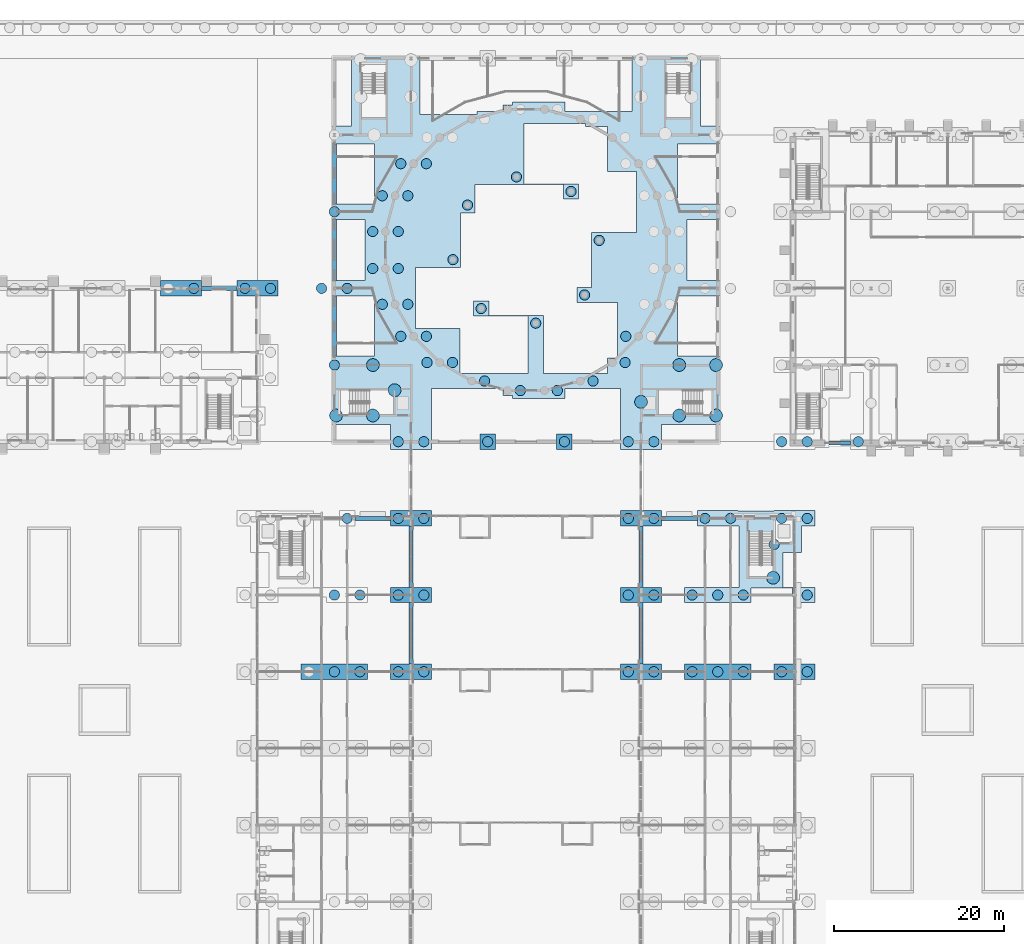
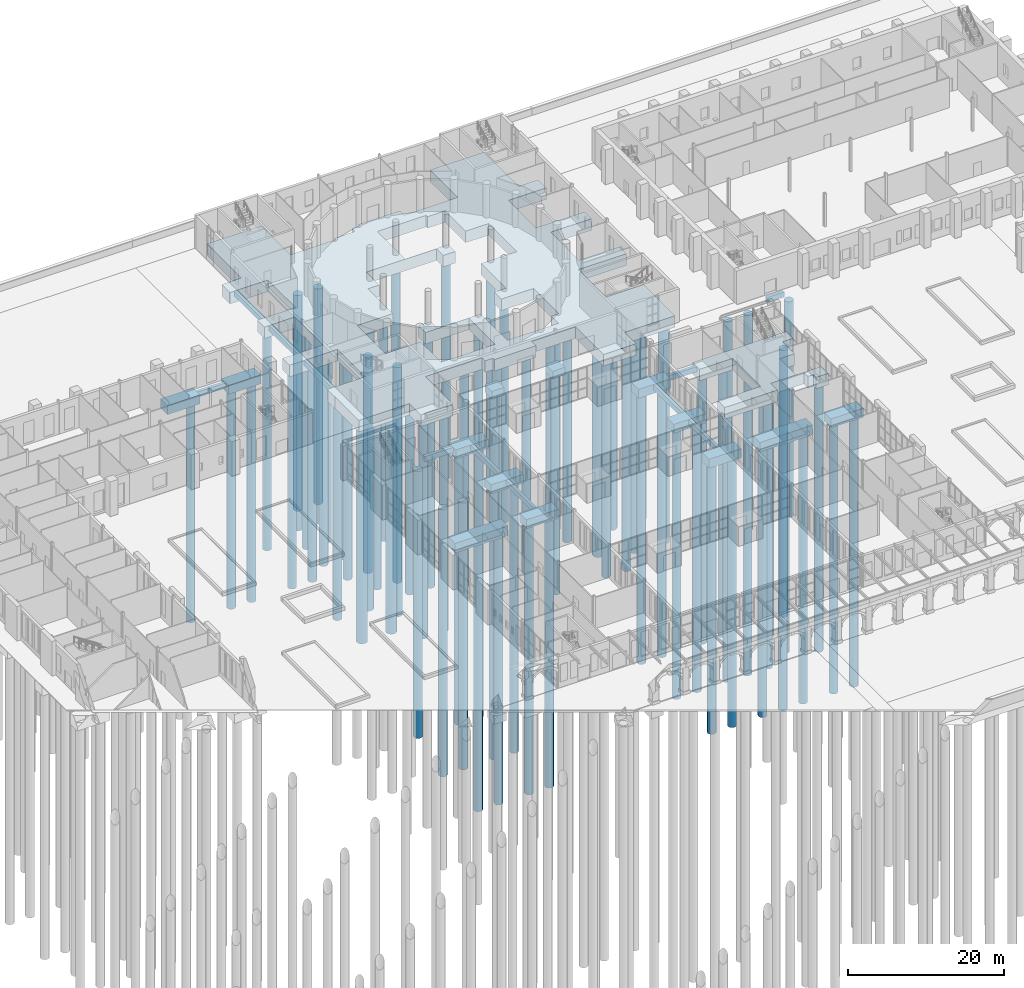
# One storey, part 5 of 168: 85 piles, 26 footings.
"""IFC4 building model written with IfcOpenShell, lengths in metres."""

from ifc_helpers import new_model, si_unit, direction, frame, origin, origin_2d, place, context, subcontext, project, spatial, polyline, circle, outline, extrude, material, material_profile, profile_set, type_object, element, save


model = new_model("IFC4")

# Units and contexts
model_context = context("Model", 3, precision=1e-05, world=origin(), true_north=direction((0.0, 1.0)))
body_context = subcontext(model_context, "Body", "Model", "MODEL_VIEW")
ifc_project = project(units=[si_unit("LENGTHUNIT", "METRE"), si_unit("AREAUNIT", "SQUARE_METRE"), si_unit("VOLUMEUNIT", "CUBIC_METRE"), si_unit("PLANEANGLEUNIT", "RADIAN"), si_unit("MASSUNIT", "GRAM", prefix="KILO")], contexts=[model_context])

# Site, building, storey
site_placement = place(None, origin())
site = spatial("IfcSite", under=ifc_project, at=site_placement, CompositionType="ELEMENT")
building_placement = place(site_placement, origin())
building = spatial("IfcBuilding", under=site, at=building_placement, Name="Golden Quay Civic Hall", CompositionType="ELEMENT")
storey_placement = place(building_placement, origin())
storey = spatial("IfcBuildingStorey", under=building, at=storey_placement, Name="L00", CompositionType="ELEMENT", Elevation=0.0)

# Piles
ifc_material_1 = material(Name="Concrete C40/50", Category="concrete")
ifc_material_profile_1 = material_profile(ifc_material_1, circle(Radius=0.60009765625, at=origin_2d()), Name="RC D1200")
ifc_profile_set_1 = profile_set([ifc_material_profile_1], Name="Concrete C40/50")
pile_type_1 = type_object("IfcPileType", Name="Bored pile 1200", PredefinedType="BORED", material=ifc_profile_set_1)
pile_1_placement = place(storey_placement, frame((46.5, 81.0, -1.89990234375), z_axis=(0.0, 0.0, -1.0), x_axis=(1.0, 0.0, 0.0)))
element("IfcPile", 1, at=pile_1_placement, inside=storey, type_object=pile_type_1, Name="PL1 bored pile", PredefinedType="BORED", context=body_context, shape_type="SweptSolid", body=[
    extrude(circle(Radius=0.60009765625, at=origin_2d()), origin(), (0.0, 0.0, 1.0), 34.10009765625),
])
for number, where, z_axis, x_axis, name in (
    (2, (63.0, 45.0, -2.300048828125), (0.0, 0.0, -1.0), (1.0, 0.0, 0.0), "PL1 bored pile"),
    (3, (64.5, 54.0, -2.300048828125), (0.0, 0.0, -1.0), (1.0, 0.0, 0.0), "PL1 bored pile"),
    (4, (66.0, 45.0, -2.300048828125), (0.0, 0.0, -1.0), (1.0, 0.0, 0.0), "PL1 bored pile"),
):
    element("IfcPile", number, at=place(storey_placement, frame(where, z_axis=z_axis, x_axis=x_axis)), inside=storey, type_object=pile_type_1, Name=name, PredefinedType="BORED", context=body_context, shape_type="SweptSolid", body=[
        extrude(circle(Radius=0.60009765625, at=origin_2d()), origin(), (0.0, 0.0, 1.0), 41.699951171875),
    ])
for number, where, z_axis, x_axis, name in (
    (5, (52.5, 81.0, -1.89990234375), (0.0, 0.0, -1.0), (1.0, 0.0, 0.0), "PL1 bored pile"),
    (6, (55.5, 81.0, -1.89990234375), (0.0, 0.0, -1.0), (1.0, 0.0, 0.0), "PL1 bored pile"),
):
    element("IfcPile", number, at=place(storey_placement, frame(where, z_axis=z_axis, x_axis=x_axis)), inside=storey, type_object=pile_type_1, Name=name, PredefinedType="BORED", context=body_context, shape_type="SweptSolid", body=[
        extrude(circle(Radius=0.60009765625, at=origin_2d()), origin(), (0.0, 0.0, 1.0), 34.10009765625),
    ])
for number, where, z_axis, x_axis, name in (
    (7, (63.0, 36.0, -2.0), (0.0, 0.0, -1.0), (1.0, 0.0, 0.0), "PL1 bored pile"),
    (8, (66.0, 36.0, -2.0), (0.0, 0.0, -1.0), (1.0, 0.0, 0.0), "PL1 bored pile"),
):
    element("IfcPile", number, at=place(storey_placement, frame(where, z_axis=z_axis, x_axis=x_axis)), inside=storey, type_object=pile_type_1, Name=name, PredefinedType="BORED", context=body_context, shape_type="SweptSolid", body=[
        extrude(circle(Radius=0.60009765625, at=origin_2d()), origin(), (0.0, 0.0, 1.0), 42.0),
    ])
for number, where, z_axis, x_axis, name in (
    (9, (61.5, 81.0, -2.300048828125), (0.0, 0.0, -1.0), (1.0, 0.0, 0.0), "PL1 bored pile"),
    (10, (63.0, 72.0, -2.300048828125), (0.0, 0.0, -1.0), (1.0, 0.0, 0.0), "PL1 bored pile"),
    (11, (63.0, 90.0, -2.300048828125), (0.0, 0.0, -1.0), (1.0, 0.0, 0.0), "PL1 bored pile"),
    (12, (64.5, 81.0, -2.300048828125), (0.0, 0.0, -1.0), (1.0, 0.0, 0.0), "PL1 bored pile"),
    (13, (67.5, 83.327880859375, -2.300048828125), (0.0, 0.0, -1.0), (1.0, 0.0, 0.0), "PL1 bored pile"),
    (14, (67.5, 87.672119140625, -2.300048828125), (0.0, 0.0, -1.0), (1.0, 0.0, 0.0), "PL1 bored pile"),
    (15, (68.6240234375, 79.131103515625, -2.300048828125), (0.0, 0.0, -1.0), (1.0, 0.0, 0.0), "PL1 bored pile"),
    (16, (68.6240234375, 91.868896484375, -2.300048828125), (0.0, 0.0, -1.0), (1.0, 0.0, 0.0), "PL1 bored pile"),
    (17, (70.5, 63.0, -2.300048828125), (0.0, 0.0, -1.0), (1.0, 0.0, 0.0), "PL1 bored pile"),
    (18, (70.5, 83.327880859375, -2.300048828125), (0.0, 0.0, -1.0), (1.0, 0.0, 0.0), "PL1 bored pile"),
    (19, (70.5, 87.672119140625, -2.300048828125), (0.0, 0.0, -1.0), (1.0, 0.0, 0.0), "PL1 bored pile"),
    (20, (70.797119140625, 75.368896484375, -2.300048828125), (0.0, 0.0, -1.0), (1.0, 0.0, 0.0), "PL1 bored pile"),
    (21, (70.797119140625, 95.631103515625, -2.300048828125), (0.0, 0.0, -1.0), (1.0, 0.0, 0.0), "PL1 bored pile"),
    (22, (71.6240234375, 79.131103515625, -2.300048828125), (0.0, 0.0, -1.0), (1.0, 0.0, 0.0), "PL1 bored pile"),
    (23, (71.6240234375, 91.868896484375, -2.300048828125), (0.0, 0.0, -1.0), (1.0, 0.0, 0.0), "PL1 bored pile"),
    (24, (73.5, 63.0, -2.300048828125), (0.0, 0.0, -1.0), (1.0, 0.0, 0.0), "PL1 bored pile"),
    (25, (73.797119140625, 75.368896484375, -2.300048828125), (0.0, 0.0, -1.0), (1.0, 0.0, 0.0), "PL1 bored pile"),
    (26, (73.797119140625, 95.631103515625, -2.300048828125), (0.0, 0.0, -1.0), (1.0, 0.0, 0.0), "PL1 bored pile"),
    (27, (73.868896484375, 72.297119140625, -2.300048828125), (0.0, 0.0, -1.0), (1.0, 0.0, 0.0), "PL1 bored pile"),
    (28, (76.868896484375, 72.297119140625, -2.300048828125), (0.0, 0.0, -1.0), (1.0, 0.0, 0.0), "PL1 bored pile"),
    (29, (76.9150390625, 84.3701171875, -2.300048828125), (0.0, 0.0, -1.0), (1.0, 0.0, 0.0), "PL1 bored pile"),
    (30, (78.6298828125, 90.77099609375, -2.300048828125), (0.0, 0.0, -1.0), (1.0, 0.0, 0.0), "PL1 bored pile"),
    (31, (80.22900390625, 78.6298828125, -2.300048828125), (0.0, 0.0, -1.0), (1.0, 0.0, 0.0), "PL1 bored pile"),
    (32, (80.631103515625, 70.1240234375, -2.300048828125), (0.0, 0.0, -1.0), (1.0, 0.0, 0.0), "PL1 bored pile"),
    (33, (84.3701171875, 94.0849609375, -2.300048828125), (0.0, 0.0, -1.0), (1.0, 0.0, 0.0), "PL1 bored pile"),
    (34, (84.827880859375, 69.0, -2.300048828125), (0.0, 0.0, -1.0), (1.0, 0.0, 0.0), "PL1 bored pile"),
    (35, (86.6298828125, 76.9150390625, -2.300048828125), (0.0, 0.0, -1.0), (1.0, 0.0, 0.0), "PL1 bored pile"),
    (36, (89.172119140625, 69.0, -2.300048828125), (0.0, 0.0, -1.0), (1.0, 0.0, 0.0), "PL1 bored pile"),
    (37, (90.77099609375, 92.3701171875, -2.300048828125), (0.0, 0.0, -1.0), (1.0, 0.0, 0.0), "PL1 bored pile"),
    (38, (92.3701171875, 80.22900390625, -2.300048828125), (0.0, 0.0, -1.0), (1.0, 0.0, 0.0), "PL1 bored pile"),
    (39, (93.368896484375, 70.1240234375, -2.300048828125), (0.0, 0.0, -1.0), (1.0, 0.0, 0.0), "PL1 bored pile"),
    (40, (94.0849609375, 86.6298828125, -2.300048828125), (0.0, 0.0, -1.0), (1.0, 0.0, 0.0), "PL1 bored pile"),
    (41, (97.131103515625, 72.297119140625, -2.300048828125), (0.0, 0.0, -1.0), (1.0, 0.0, 0.0), "PL1 bored pile"),
    (42, (97.202880859375, 75.368896484375, -2.300048828125), (0.0, 0.0, -1.0), (1.0, 0.0, 0.0), "PL1 bored pile"),
    (43, (97.5, 63.0, -2.300048828125), (0.0, 0.0, -1.0), (1.0, 0.0, 0.0), "PL1 bored pile"),
    (44, (100.5, 63.0, -2.300048828125), (0.0, 0.0, -1.0), (1.0, 0.0, 0.0), "PL1 bored pile"),
):
    element("IfcPile", number, at=place(storey_placement, frame(where, z_axis=z_axis, x_axis=x_axis)), inside=storey, type_object=pile_type_1, Name=name, PredefinedType="BORED", context=body_context, shape_type="SweptSolid", body=[
        extrude(circle(Radius=0.60009765625, at=origin_2d()), origin(), (0.0, 0.0, 1.0), 33.699951171875),
    ])
for number, where, z_axis, x_axis, name in (
    (45, (70.5, 36.0, -1.89990234375), (0.0, 0.0, -1.0), (1.0, 0.0, 0.0), "PL1 bored pile"),
    (46, (73.5, 36.0, -1.89990234375), (0.0, 0.0, -1.0), (1.0, 0.0, 0.0), "PL1 bored pile"),
    (47, (70.5, 45.0, -1.89990234375), (0.0, 0.0, -1.0), (1.0, 0.0, 0.0), "PL1 bored pile"),
    (48, (73.5, 45.0, -1.89990234375), (0.0, 0.0, -1.0), (1.0, 0.0, 0.0), "PL1 bored pile"),
    (49, (70.5, 54.0, -1.89990234375), (0.0, 0.0, -1.0), (1.0, 0.0, 0.0), "PL1 bored pile"),
    (50, (73.5, 54.0, -1.89990234375), (0.0, 0.0, -1.0), (1.0, 0.0, 0.0), "PL1 bored pile"),
):
    element("IfcPile", number, at=place(storey_placement, frame(where, z_axis=z_axis, x_axis=x_axis)), inside=storey, type_object=pile_type_1, Name=name, PredefinedType="BORED", context=body_context, shape_type="SweptSolid", body=[
        extrude(circle(Radius=0.60009765625, at=origin_2d()), origin(), (0.0, 0.0, 1.0), 42.10009765625),
    ])
for number, where, z_axis, x_axis, name in (
    (51, (81.0, 63.0, -1.699951171875), (0.0, 0.0, -1.0), (1.0, 0.0, 0.0), "PL1 bored pile"),
    (52, (90.0, 63.0, -1.699951171875), (0.0, 0.0, -1.0), (1.0, 0.0, 0.0), "PL1 bored pile"),
):
    element("IfcPile", number, at=place(storey_placement, frame(where, z_axis=z_axis, x_axis=x_axis)), inside=storey, type_object=pile_type_1, Name=name, PredefinedType="BORED", context=body_context, shape_type="SweptSolid", body=[
        extrude(circle(Radius=0.60009765625, at=origin_2d()), origin(), (0.0, 0.0, 1.0), 34.300048828125),
    ])
for number, where, z_axis, x_axis, name in (
    (53, (97.5, 36.0, -1.89990234375), (0.0, 0.0, -1.0), (1.0, 0.0, 0.0), "PL1 bored pile"),
    (54, (100.5, 36.0, -1.89990234375), (0.0, 0.0, -1.0), (1.0, 0.0, 0.0), "PL1 bored pile"),
    (55, (97.5, 45.0, -1.89990234375), (0.0, 0.0, -1.0), (1.0, 0.0, 0.0), "PL1 bored pile"),
    (56, (100.5, 45.0, -1.89990234375), (0.0, 0.0, -1.0), (1.0, 0.0, 0.0), "PL1 bored pile"),
    (57, (97.5, 54.0, -1.89990234375), (0.0, 0.0, -1.0), (1.0, 0.0, 0.0), "PL1 bored pile"),
    (58, (100.5, 54.0, -1.89990234375), (0.0, 0.0, -1.0), (1.0, 0.0, 0.0), "PL1 bored pile"),
):
    element("IfcPile", number, at=place(storey_placement, frame(where, z_axis=z_axis, x_axis=x_axis)), inside=storey, type_object=pile_type_1, Name=name, PredefinedType="BORED", context=body_context, shape_type="SweptSolid", body=[
        extrude(circle(Radius=0.60009765625, at=origin_2d()), origin(), (0.0, 0.0, 1.0), 42.10009765625),
    ])
for number, where, z_axis, x_axis, name in (
    (59, (105.0, 36.0, -2.0), (0.0, 0.0, -1.0), (1.0, 0.0, 0.0), "PL1 bored pile"),
    (60, (108.0, 36.0, -2.0), (0.0, 0.0, -1.0), (1.0, 0.0, 0.0), "PL1 bored pile"),
    (61, (111.0, 36.0, -2.0), (0.0, 0.0, -1.0), (1.0, 0.0, 0.0), "PL1 bored pile"),
):
    element("IfcPile", number, at=place(storey_placement, frame(where, z_axis=z_axis, x_axis=x_axis)), inside=storey, type_object=pile_type_1, Name=name, PredefinedType="BORED", context=body_context, shape_type="SweptSolid", body=[
        extrude(circle(Radius=0.60009765625, at=origin_2d()), origin(), (0.0, 0.0, 1.0), 42.0),
    ])
for number, where, z_axis, x_axis, name in (
    (62, (105.0, 45.0, -2.300048828125), (0.0, 0.0, -1.0), (1.0, 0.0, 0.0), "PL1 bored pile"),
    (63, (106.5, 54.0, -2.300048828125), (0.0, 0.0, -1.0), (1.0, 0.0, 0.0), "PL1 bored pile"),
    (64, (108.0, 45.0, -2.300048828125), (0.0, 0.0, -1.0), (1.0, 0.0, 0.0), "PL1 bored pile"),
    (65, (109.5, 54.0, -2.300048828125), (0.0, 0.0, -1.0), (1.0, 0.0, 0.0), "PL1 bored pile"),
    (66, (111.0, 45.0, -2.300048828125), (0.0, 0.0, -1.0), (1.0, 0.0, 0.0), "PL1 bored pile"),
    (67, (114.625, 50.949951171875, -2.300048828125), (0.0, 0.0, -1.0), (1.0, 0.0, 0.0), "PL1 bored pile"),
    (68, (115.5, 54.0, -2.300048828125), (0.0, 0.0, -1.0), (1.0, 0.0, 0.0), "PL1 bored pile"),
    (69, (118.5, 45.0, -2.300048828125), (0.0, 0.0, -1.0), (1.0, 0.0, 0.0), "PL1 bored pile"),
    (70, (118.5, 54.0, -2.300048828125), (0.0, 0.0, -1.0), (1.0, 0.0, 0.0), "PL1 bored pile"),
):
    element("IfcPile", number, at=place(storey_placement, frame(where, z_axis=z_axis, x_axis=x_axis)), inside=storey, type_object=pile_type_1, Name=name, PredefinedType="BORED", context=body_context, shape_type="SweptSolid", body=[
        extrude(circle(Radius=0.60009765625, at=origin_2d()), origin(), (0.0, 0.0, 1.0), 41.699951171875),
    ])
for number, where, z_axis, x_axis, name in (
    (71, (115.5, 36.0, -1.89990234375), (0.0, 0.0, -1.0), (1.0, 0.0, 0.0), "PL1 bored pile"),
    (72, (118.5, 36.0, -1.89990234375), (0.0, 0.0, -1.0), (1.0, 0.0, 0.0), "PL1 bored pile"),
):
    element("IfcPile", number, at=place(storey_placement, frame(where, z_axis=z_axis, x_axis=x_axis)), inside=storey, type_object=pile_type_1, Name=name, PredefinedType="BORED", context=body_context, shape_type="SweptSolid", body=[
        extrude(circle(Radius=0.60009765625, at=origin_2d()), origin(), (0.0, 0.0, 1.0), 42.10009765625),
    ])
for number, where, z_axis, x_axis, name in (
    (73, (115.5, 63.0, -2.300048828125), (0.0, 0.0, -1.0), (1.0, 0.0, 0.0), "PL1 bored pile"),
    (74, (118.5, 63.0, -2.300048828125), (0.0, 0.0, -1.0), (1.0, 0.0, 0.0), "PL1 bored pile"),
    (75, (124.5, 63.0, -2.300048828125), (0.0, 0.0, -1.0), (1.0, 0.0, 0.0), "PL1 bored pile"),
):
    element("IfcPile", number, at=place(storey_placement, frame(where, z_axis=z_axis, x_axis=x_axis)), inside=storey, type_object=pile_type_1, Name=name, PredefinedType="BORED", context=body_context, shape_type="SweptSolid", body=[
        extrude(circle(Radius=0.60009765625, at=origin_2d()), origin(), (0.0, 0.0, 1.0), 33.699951171875),
    ])
ifc_material_2 = material(Name="Concrete C40/50", Category="concrete")
ifc_material_profile_2 = material_profile(ifc_material_2, circle(Radius=0.75, at=origin_2d()), Name="RC D1500")
ifc_profile_set_2 = profile_set([ifc_material_profile_2], Name="Concrete C40/50")
pile_type_2 = type_object("IfcPileType", Name="Bored pile 1500", PredefinedType="BORED", material=ifc_profile_set_2)
for number, where, z_axis, x_axis, name in (
    (76, (63.199951171875, 66.074951171875, -2.300048828125), (0.0, 0.0, -1.0), (1.0, 0.0, 0.0), "PL2 bored pile"),
    (77, (67.52490234375, 66.074951171875, -2.300048828125), (0.0, 0.0, -1.0), (1.0, 0.0, 0.0), "PL2 bored pile"),
    (78, (67.52490234375, 72.0, -2.300048828125), (0.0, 0.0, -1.0), (1.0, 0.0, 0.0), "PL2 bored pile"),
    (79, (70.074951171875, 69.050048828125, -2.300048828125), (0.0, 0.0, -1.0), (1.0, 0.0, 0.0), "PL2 bored pile"),
    (80, (99.0, 67.675048828125, -2.300048828125), (0.0, 0.0, -1.0), (1.0, 0.0, 0.0), "PL2 bored pile"),
    (81, (103.47509765625, 66.074951171875, -2.300048828125), (0.0, 0.0, -1.0), (1.0, 0.0, 0.0), "PL2 bored pile"),
    (82, (103.47509765625, 72.0, -2.300048828125), (0.0, 0.0, -1.0), (1.0, 0.0, 0.0), "PL2 bored pile"),
    (83, (107.800048828125, 66.074951171875, -2.300048828125), (0.0, 0.0, -1.0), (1.0, 0.0, 0.0), "PL2 bored pile"),
    (84, (107.800048828125, 72.0, -2.300048828125), (0.0, 0.0, -1.0), (1.0, 0.0, 0.0), "PL2 bored pile"),
):
    element("IfcPile", number, at=place(storey_placement, frame(where, z_axis=z_axis, x_axis=x_axis)), inside=storey, type_object=pile_type_2, Name=name, PredefinedType="BORED", context=body_context, shape_type="SweptSolid", body=[
        extrude(circle(Radius=0.75, at=origin_2d()), origin(), (0.0, 0.0, 1.0), 33.699951171875),
    ])
pile_2_placement = place(storey_placement, frame((114.5, 47.02490234375, -2.300048828125), z_axis=(0.0, 0.0, -1.0), x_axis=(1.0, 0.0, 0.0)))
element("IfcPile", 85, at=pile_2_placement, inside=storey, type_object=pile_type_2, Name="PL2 bored pile", PredefinedType="BORED", context=body_context, shape_type="SweptSolid", body=[
    extrude(circle(Radius=0.75, at=origin_2d()), origin(), (0.0, 0.0, 1.0), 41.699951171875),
])

# Footings
ifc_material_3 = material(Name="Concrete C40/50", Category="concrete")
footing_type_1 = type_object("IfcFootingType", Name="Ground beam 450 x 800", PredefinedType="FOOTING_BEAM", material=ifc_material_3)
footing_1_placement = place(storey_placement, frame((0.0, 0.0, -1.39990234375)))
element("IfcFooting", 86, at=footing_1_placement, inside=storey, type_object=footing_type_1, Name="F15 ground beam", PredefinedType="FOOTING_BEAM", context=body_context, shape_type="SweptSolid", body=[
    extrude(outline(polyline([(62.77490234375, 80.10009765625), (63.22509765625, 80.10009765625), (63.22509765625, 73.050048828125), (62.77490234375, 73.050048828125), (62.77490234375, 80.10009765625)])), origin(), (0.0, 0.0, 1.0), 0.7998046875),
])
footing_2_placement = place(storey_placement, frame((0.0, 0.0, -1.39990234375)))
element("IfcFooting", 87, at=footing_2_placement, inside=storey, type_object=footing_type_1, Name="F15 ground beam", PredefinedType="FOOTING_BEAM", context=body_context, shape_type="SweptSolid", body=[
    extrude(outline(polyline([(62.77490234375, 89.10009765625), (63.22509765625, 89.10009765625), (63.22509765625, 81.89990234375), (62.77490234375, 81.89990234375), (62.77490234375, 89.10009765625)])), origin(), (0.0, 0.0, 1.0), 0.7998046875),
])
footing_3_placement = place(storey_placement, frame((0.0, 0.0, -1.39990234375)))
element("IfcFooting", 88, at=footing_3_placement, inside=storey, type_object=footing_type_1, Name="F15 ground beam", PredefinedType="FOOTING_BEAM", context=body_context, shape_type="SweptSolid", body=[
    extrude(outline(polyline([(62.77490234375, 97.949951171875), (63.22509765625, 97.949951171875), (63.22509765625, 90.89990234375), (62.77490234375, 90.89990234375), (62.77490234375, 97.949951171875)])), origin(), (0.0, 0.0, 1.0), 0.7998046875),
])
footing_4_placement = place(storey_placement, frame((0.0, 0.0, -1.39990234375)))
element("IfcFooting", 89, at=footing_4_placement, inside=storey, type_object=footing_type_1, Name="F15 ground beam", PredefinedType="FOOTING_BEAM", context=body_context, shape_type="SweptSolid", body=[
    extrude(outline(polyline([(105.60009765625, 54.22509765625), (105.60009765625, 53.77490234375), (101.39990234375, 53.77490234375), (101.39990234375, 54.22509765625), (105.60009765625, 54.22509765625)])), origin(), (0.0, 0.0, 1.0), 0.7998046875),
])
footing_5_placement = place(storey_placement, frame((0.0, 0.0, -1.39990234375)))
element("IfcFooting", 90, at=footing_5_placement, inside=storey, type_object=footing_type_1, Name="F15 ground beam", PredefinedType="FOOTING_BEAM", context=body_context, shape_type="SweptSolid", body=[
    extrude(outline(polyline([(98.77490234375, 44.10009765625), (99.22509765625, 44.10009765625), (99.22509765625, 36.89990234375), (98.77490234375, 36.89990234375), (98.77490234375, 44.10009765625)])), origin(), (0.0, 0.0, 1.0), 0.7998046875),
])
footing_6_placement = place(storey_placement, frame((0.0, 0.0, -1.39990234375)))
element("IfcFooting", 91, at=footing_6_placement, inside=storey, type_object=footing_type_1, Name="F15 ground beam", PredefinedType="FOOTING_BEAM", context=body_context, shape_type="SweptSolid", body=[
    extrude(outline(polyline([(98.77490234375, 53.10009765625), (99.22509765625, 53.10009765625), (99.22509765625, 45.89990234375), (98.77490234375, 45.89990234375), (98.77490234375, 53.10009765625)])), origin(), (0.0, 0.0, 1.0), 0.7998046875),
])
footing_7_placement = place(storey_placement, frame((0.0, 0.0, -1.39990234375)))
element("IfcFooting", 92, at=footing_7_placement, inside=storey, type_object=footing_type_1, Name="F15 ground beam", PredefinedType="FOOTING_BEAM", context=body_context, shape_type="SweptSolid", body=[
    extrude(outline(polyline([(123.60009765625, 63.074951171875), (123.60009765625, 62.625), (121.074951171875, 62.625), (121.074951171875, 63.074951171875), (123.60009765625, 63.074951171875)])), origin(), (0.0, 0.0, 1.0), 0.7998046875),
])
footing_8_placement = place(storey_placement, frame((0.0, 0.0, -1.39990234375)))
element("IfcFooting", 93, at=footing_8_placement, inside=storey, type_object=footing_type_1, Name="F15 ground beam", PredefinedType="FOOTING_BEAM", context=body_context, shape_type="SweptSolid", body=[
    extrude(outline(polyline([(51.60009765625, 81.22509765625), (51.60009765625, 80.77490234375), (47.39990234375, 80.77490234375), (47.39990234375, 81.22509765625), (51.60009765625, 81.22509765625)])), origin(), (0.0, 0.0, 1.0), 0.7998046875),
])
footing_9_placement = place(storey_placement, frame((0.0, 0.0, -1.39990234375)))
element("IfcFooting", 94, at=footing_9_placement, inside=storey, type_object=footing_type_1, Name="F15 ground beam", PredefinedType="FOOTING_BEAM", context=body_context, shape_type="SweptSolid", body=[
    extrude(outline(polyline([(72.22509765625, 36.89990234375), (71.77490234375, 36.89990234375), (71.77490234375, 44.10009765625), (72.22509765625, 44.10009765625), (72.22509765625, 36.89990234375)])), origin(), (0.0, 0.0, 1.0), 0.7998046875),
])
footing_10_placement = place(storey_placement, frame((0.0, 0.0, -1.39990234375)))
element("IfcFooting", 95, at=footing_10_placement, inside=storey, type_object=footing_type_1, Name="F15 ground beam", PredefinedType="FOOTING_BEAM", context=body_context, shape_type="SweptSolid", body=[
    extrude(outline(polyline([(72.22509765625, 45.89990234375), (71.77490234375, 45.89990234375), (71.77490234375, 53.10009765625), (72.22509765625, 53.10009765625), (72.22509765625, 45.89990234375)])), origin(), (0.0, 0.0, 1.0), 0.7998046875),
])
footing_11_placement = place(storey_placement, frame((0.0, 0.0, -1.39990234375)))
element("IfcFooting", 96, at=footing_11_placement, inside=storey, type_object=footing_type_1, Name="F15 ground beam", PredefinedType="FOOTING_BEAM", context=body_context, shape_type="SweptSolid", body=[
    extrude(outline(polyline([(69.60009765625, 54.22509765625), (69.60009765625, 53.77490234375), (65.39990234375, 53.77490234375), (65.39990234375, 54.22509765625), (69.60009765625, 54.22509765625)])), origin(), (0.0, 0.0, 1.0), 0.7998046875),
])
ifc_material_4 = material(Name="Concrete C40/50", Category="concrete")
footing_type_2 = type_object("IfcFootingType", Name="Pile cap 1 pile 1800 x 1800 x 1200", PredefinedType="PILE_CAP", material=ifc_material_4)
footing_12_placement = place(storey_placement, frame((0.0, 0.0, -1.800048828125)))
element("IfcFooting", 97, at=footing_12_placement, inside=storey, type_object=footing_type_2, Name="F10 pile cap", PredefinedType="PILE_CAP", context=body_context, shape_type="SweptSolid", body=[
    extrude(outline(polyline([(81.89990234375, 62.10009765625), (81.89990234375, 63.89990234375), (80.10009765625, 63.89990234375), (80.10009765625, 62.10009765625), (81.89990234375, 62.10009765625)])), origin(), (0.0, 0.0, 1.0), 1.199951171875),
])
footing_13_placement = place(storey_placement, frame((0.0, 0.0, -1.800048828125)))
element("IfcFooting", 98, at=footing_13_placement, inside=storey, type_object=footing_type_2, Name="F10 pile cap", PredefinedType="PILE_CAP", context=body_context, shape_type="SweptSolid", body=[
    extrude(outline(polyline([(90.89990234375, 62.10009765625), (90.89990234375, 63.89990234375), (89.10009765625, 63.89990234375), (89.10009765625, 62.10009765625), (90.89990234375, 62.10009765625)])), origin(), (0.0, 0.0, 1.0), 1.199951171875),
])
ifc_material_5 = material(Name="Concrete C40/50", Category="concrete")
footing_type_3 = type_object("IfcFootingType", Name="Pile cap 2 piles 4800 x 1800 x 1400", PredefinedType="PILE_CAP", material=ifc_material_5)
footing_14_placement = place(storey_placement, frame((0.0, 0.0, -2.0)))
element("IfcFooting", 99, at=footing_14_placement, inside=storey, type_object=footing_type_3, Name="F4 pile cap", PredefinedType="PILE_CAP", context=body_context, shape_type="SweptSolid", body=[
    extrude(outline(polyline([(47.39990234375, 80.10009765625), (47.39990234375, 81.89990234375), (42.60009765625, 81.89990234375), (42.60009765625, 80.10009765625), (47.39990234375, 80.10009765625)])), origin(), (0.0, 0.0, 1.0), 1.39990234375),
])
footing_15_placement = place(storey_placement, frame((0.0, 0.0, -2.0)))
element("IfcFooting", 100, at=footing_15_placement, inside=storey, type_object=footing_type_3, Name="F4 pile cap", PredefinedType="PILE_CAP", context=body_context, shape_type="SweptSolid", body=[
    extrude(outline(polyline([(56.39990234375, 80.10009765625), (56.39990234375, 81.89990234375), (51.60009765625, 81.89990234375), (51.60009765625, 80.10009765625), (56.39990234375, 80.10009765625)])), origin(), (0.0, 0.0, 1.0), 1.39990234375),
])
footing_16_placement = place(storey_placement, frame((0.0, 0.0, -2.0)))
element("IfcFooting", 101, at=footing_16_placement, inside=storey, type_object=footing_type_3, Name="F4 pile cap", PredefinedType="PILE_CAP", context=body_context, shape_type="SweptSolid", body=[
    extrude(outline(polyline([(74.39990234375, 35.10009765625), (74.39990234375, 36.89990234375), (69.60009765625, 36.89990234375), (69.60009765625, 35.10009765625), (74.39990234375, 35.10009765625)])), origin(), (0.0, 0.0, 1.0), 1.39990234375),
])
footing_17_placement = place(storey_placement, frame((0.0, 0.0, -2.0)))
element("IfcFooting", 102, at=footing_17_placement, inside=storey, type_object=footing_type_3, Name="F4 pile cap", PredefinedType="PILE_CAP", context=body_context, shape_type="SweptSolid", body=[
    extrude(outline(polyline([(74.39990234375, 44.10009765625), (74.39990234375, 45.89990234375), (69.60009765625, 45.89990234375), (69.60009765625, 44.10009765625), (74.39990234375, 44.10009765625)])), origin(), (0.0, 0.0, 1.0), 1.39990234375),
])
footing_18_placement = place(storey_placement, frame((0.0, 0.0, -2.0)))
element("IfcFooting", 103, at=footing_18_placement, inside=storey, type_object=footing_type_3, Name="F4 pile cap", PredefinedType="PILE_CAP", context=body_context, shape_type="SweptSolid", body=[
    extrude(outline(polyline([(74.39990234375, 53.10009765625), (74.39990234375, 54.89990234375), (69.60009765625, 54.89990234375), (69.60009765625, 53.10009765625), (74.39990234375, 53.10009765625)])), origin(), (0.0, 0.0, 1.0), 1.39990234375),
])
footing_19_placement = place(storey_placement, frame((0.0, 0.0, -2.0)))
element("IfcFooting", 104, at=footing_19_placement, inside=storey, type_object=footing_type_3, Name="F4 pile cap", PredefinedType="PILE_CAP", context=body_context, shape_type="SweptSolid", body=[
    extrude(outline(polyline([(101.39990234375, 35.10009765625), (101.39990234375, 36.89990234375), (96.60009765625, 36.89990234375), (96.60009765625, 35.10009765625), (101.39990234375, 35.10009765625)])), origin(), (0.0, 0.0, 1.0), 1.39990234375),
])
footing_20_placement = place(storey_placement, frame((0.0, 0.0, -2.0)))
element("IfcFooting", 105, at=footing_20_placement, inside=storey, type_object=footing_type_3, Name="F4 pile cap", PredefinedType="PILE_CAP", context=body_context, shape_type="SweptSolid", body=[
    extrude(outline(polyline([(101.39990234375, 44.10009765625), (101.39990234375, 45.89990234375), (96.60009765625, 45.89990234375), (96.60009765625, 44.10009765625), (101.39990234375, 44.10009765625)])), origin(), (0.0, 0.0, 1.0), 1.39990234375),
])
footing_21_placement = place(storey_placement, frame((0.0, 0.0, -2.0)))
element("IfcFooting", 106, at=footing_21_placement, inside=storey, type_object=footing_type_3, Name="F4 pile cap", PredefinedType="PILE_CAP", context=body_context, shape_type="SweptSolid", body=[
    extrude(outline(polyline([(101.39990234375, 53.10009765625), (101.39990234375, 54.89990234375), (96.60009765625, 54.89990234375), (96.60009765625, 53.10009765625), (101.39990234375, 53.10009765625)])), origin(), (0.0, 0.0, 1.0), 1.39990234375),
])
footing_22_placement = place(storey_placement, frame((0.0, 0.0, -2.0)))
element("IfcFooting", 107, at=footing_22_placement, inside=storey, type_object=footing_type_3, Name="F4 pile cap", PredefinedType="PILE_CAP", context=body_context, shape_type="SweptSolid", body=[
    extrude(outline(polyline([(119.39990234375, 35.10009765625), (119.39990234375, 36.89990234375), (114.60009765625, 36.89990234375), (114.60009765625, 35.10009765625), (119.39990234375, 35.10009765625)])), origin(), (0.0, 0.0, 1.0), 1.39990234375),
])
ifc_material_6 = material(Name="Concrete C40/50", Category="concrete")
footing_type_4 = type_object("IfcFootingType", Name="Pile cap 3 piles 7800 x 1800 x 1500", PredefinedType="PILE_CAP", material=ifc_material_6)
footing_23_placement = place(storey_placement, frame((0.0, 0.0, -2.10009765625)))
element("IfcFooting", 108, at=footing_23_placement, inside=storey, type_object=footing_type_4, Name="F7 pile cap", PredefinedType="PILE_CAP", context=body_context, shape_type="SweptSolid", body=[
    extrude(outline(polyline([(66.89990234375, 35.10009765625), (66.89990234375, 36.89990234375), (59.10009765625, 36.89990234375), (59.10009765625, 35.10009765625), (66.89990234375, 35.10009765625)])), origin(), (0.0, 0.0, 1.0), 1.5),
])
footing_24_placement = place(storey_placement, frame((0.0, 0.0, -2.10009765625)))
element("IfcFooting", 109, at=footing_24_placement, inside=storey, type_object=footing_type_4, Name="F7 pile cap", PredefinedType="PILE_CAP", context=body_context, shape_type="SweptSolid", body=[
    extrude(outline(polyline([(111.89990234375, 35.10009765625), (111.89990234375, 36.89990234375), (104.10009765625, 36.89990234375), (104.10009765625, 35.10009765625), (111.89990234375, 35.10009765625)])), origin(), (0.0, 0.0, 1.0), 1.5),
])
ifc_material_7 = material(Name="Concrete C40/50", Category="concrete")
footing_type_5 = type_object("IfcFootingType", Name="Pile raft 1800 deep on 1500 mm piles", PredefinedType="PILE_CAP", material=ifc_material_7)
footing_25_placement = place(storey_placement, frame((0.0, 0.0, -2.39990234375)))
element("IfcFooting", 110, at=footing_25_placement, inside=storey, type_object=footing_type_5, Name="F1 pile cap", PredefinedType="PILE_CAP", context=body_context, shape_type="SweptSolid", body=[
    extrude(outline(polyline([(62.10009765625, 72.89990234375), (62.14990234375, 72.89990234375), (62.14990234375, 73.050048828125), (67.72412109375, 73.050048828125), (67.72412109375, 80.10009765625), (60.60009765625, 80.10009765625), (60.60009765625, 81.89990234375), (66.60009765625, 81.89990234375), (66.60009765625, 89.10009765625), (62.10009765625, 89.10009765625), (62.10009765625, 90.89990234375), (67.72412109375, 90.89990234375), (67.72412109375, 97.949951171875), (62.14990234375, 97.949951171875), (62.14990234375, 98.10009765625), (62.10009765625, 98.10009765625), (62.10009765625, 99.89990234375), (62.14990234375, 99.89990234375), (62.14990234375, 100.050048828125), (65.02490234375, 100.050048828125), (65.02490234375, 108.85009765625), (73.050048828125, 108.85009765625), (73.050048828125, 101.426025390625), (79.73095703125, 101.426025390625), (79.73095703125, 101.77587890625), (82.778076171875, 101.77587890625), (82.778076171875, 102.550048828125), (83.927978515625, 102.550048828125), (83.927978515625, 102.89990234375), (90.072021484375, 102.89990234375), (90.072021484375, 101.77587890625), (97.949951171875, 101.77587890625), (97.949951171875, 108.85009765625), (105.97509765625, 108.85009765625), (105.97509765625, 100.050048828125), (108.85009765625, 100.050048828125), (108.85009765625, 97.949951171875), (103.27587890625, 97.949951171875), (103.27587890625, 90.89990234375), (110.39990234375, 90.89990234375), (110.39990234375, 89.10009765625), (104.39990234375, 89.10009765625), (104.39990234375, 81.89990234375), (110.39990234375, 81.89990234375), (110.39990234375, 80.10009765625), (103.27587890625, 80.10009765625), (103.27587890625, 73.050048828125), (108.85009765625, 73.050048828125), (108.85009765625, 65.02490234375), (101.39990234375, 65.02490234375), (101.39990234375, 62.10009765625), (96.60009765625, 62.10009765625), (96.60009765625, 69.22412109375), (90.072021484375, 69.22412109375), (90.072021484375, 68.10009765625), (83.927978515625, 68.10009765625), (83.927978515625, 68.449951171875), (82.778076171875, 68.449951171875), (82.778076171875, 69.22412109375), (74.39990234375, 69.22412109375), (74.39990234375, 62.10009765625), (69.60009765625, 62.10009765625), (69.60009765625, 65.02490234375), (62.14990234375, 65.02490234375), (62.14990234375, 71.10009765625), (62.10009765625, 71.10009765625), (62.10009765625, 72.89990234375)]), holes=[polyline([(77.76904296875, 76.26904296875), (77.76904296875, 71.02392578125), (85.72998046875, 71.02392578125), (85.72998046875, 77.72998046875), (79.3291015625, 77.72998046875), (79.3291015625, 79.530029296875), (81.12890625, 79.530029296875), (81.12890625, 77.81494140625), (87.530029296875, 77.81494140625), (87.530029296875, 71.02392578125), (95.0810546875, 71.02392578125), (95.0810546875, 72.846923828125), (96.23095703125, 72.846923828125), (96.23095703125, 79.3291015625), (91.469970703125, 79.3291015625), (91.469970703125, 81.12890625), (93.18505859375, 81.12890625), (93.18505859375, 87.530029296875), (98.47607421875, 87.530029296875), (98.47607421875, 94.73095703125), (95.0810546875, 94.73095703125), (95.0810546875, 99.97607421875), (92.468994140625, 99.97607421875), (92.468994140625, 100.325927734375), (85.27001953125, 100.325927734375), (85.27001953125, 93.27001953125), (91.6708984375, 93.27001953125), (91.6708984375, 91.469970703125), (89.87109375, 91.469970703125), (89.87109375, 93.18505859375), (79.530029296875, 93.18505859375), (79.530029296875, 89.87109375), (77.81494140625, 89.87109375), (77.81494140625, 83.469970703125), (72.52392578125, 83.469970703125), (72.52392578125, 76.26904296875), (77.76904296875, 76.26904296875)])]), origin(), (0.0, 0.0, 1.0), 1.7998046875),
])
footing_26_placement = place(storey_placement, frame((0.0, 0.0, -2.39990234375)))
element("IfcFooting", 111, at=footing_26_placement, inside=storey, type_object=footing_type_5, Name="F1 pile cap", PredefinedType="PILE_CAP", context=body_context, shape_type="SweptSolid", body=[
    extrude(outline(polyline([(105.60009765625, 53.10009765625), (105.60009765625, 54.89990234375), (110.39990234375, 54.89990234375), (110.39990234375, 54.85009765625), (114.60009765625, 54.85009765625), (114.60009765625, 54.89990234375), (119.39990234375, 54.89990234375), (119.39990234375, 53.10009765625), (117.85009765625, 53.10009765625), (117.85009765625, 50.02490234375), (115.675048828125, 50.02490234375), (115.675048828125, 45.89990234375), (119.39990234375, 45.89990234375), (119.39990234375, 44.10009765625), (117.60009765625, 44.10009765625), (117.60009765625, 44.804931640625), (116.800048828125, 44.804931640625), (116.800048828125, 45.85009765625), (111.89990234375, 45.85009765625), (111.89990234375, 44.10009765625), (104.10009765625, 44.10009765625), (104.10009765625, 45.89990234375), (110.47509765625, 45.89990234375), (110.47509765625, 53.10009765625), (105.60009765625, 53.10009765625)])), origin(), (0.0, 0.0, 1.0), 1.7998046875),
])

save(model, "model.ifc")
